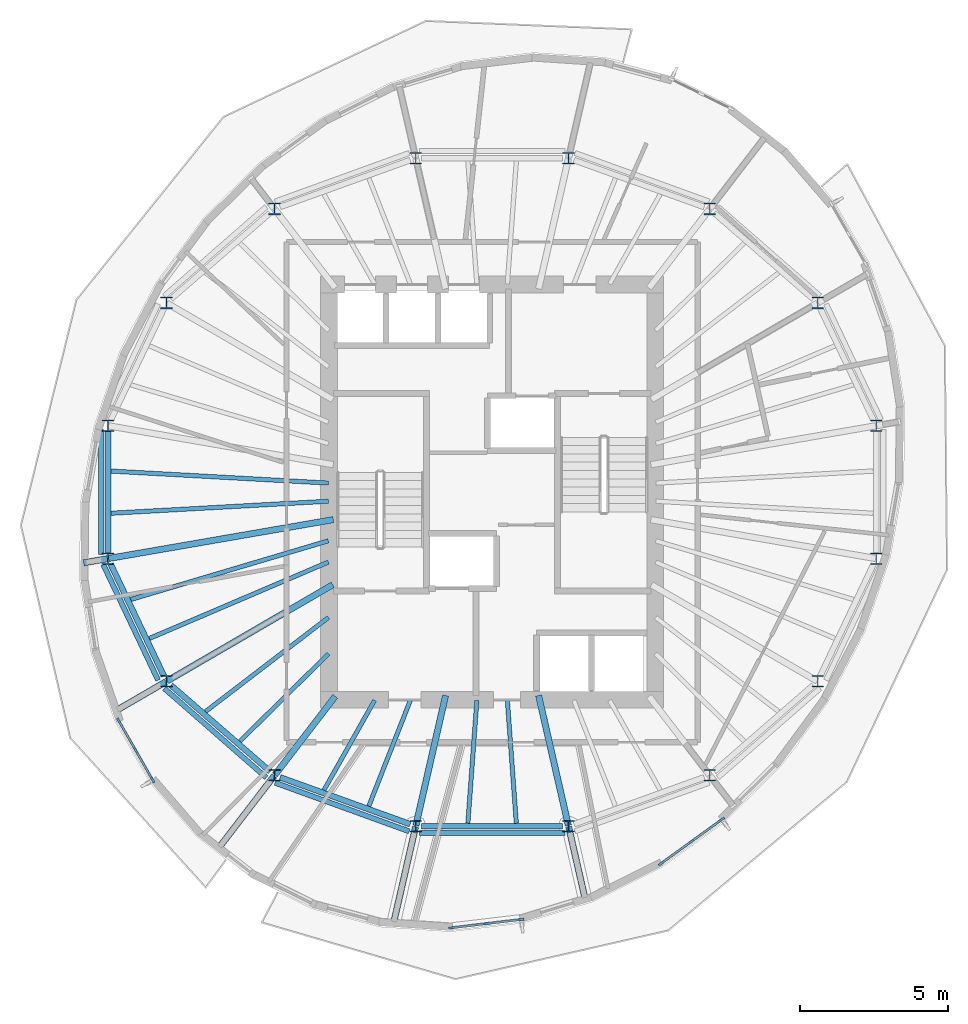
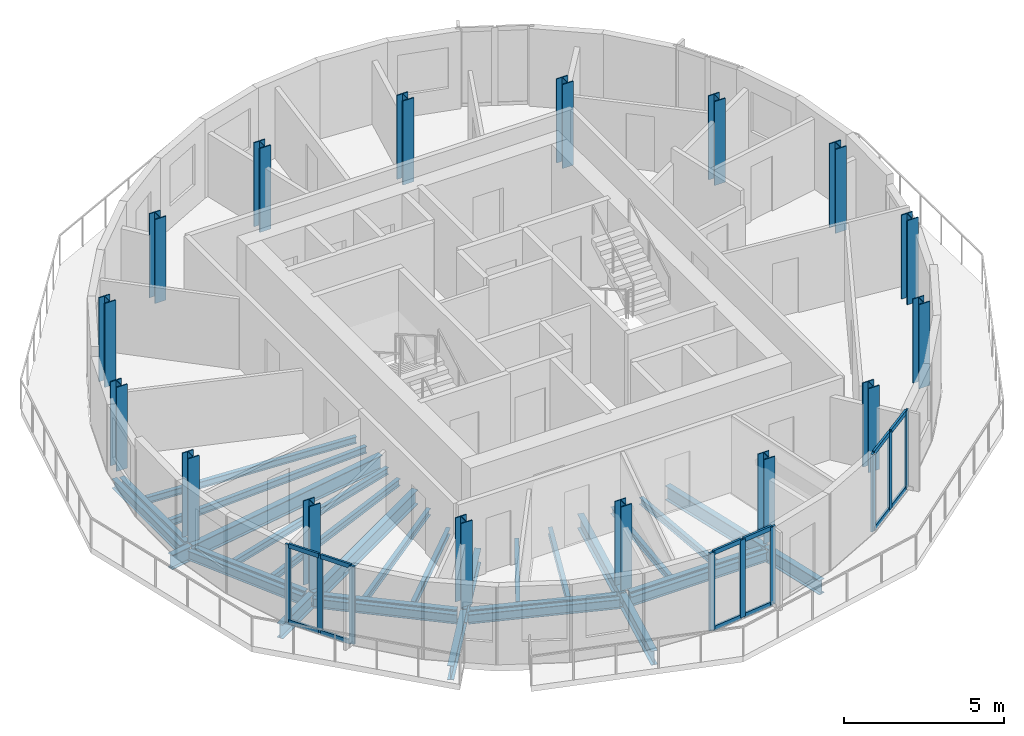
# One storey, part 1 of 9: 30 beams, 21 members, 16 columns, 3 elements without a shape of their own.
"""IFC4 building model written with IfcOpenShell, lengths in metres."""

import ifcopenshell
import ifcopenshell.guid

model = None  # the IFC model being written
_history = None  # IfcOwnerHistory: only IFC2X3 demands one
_inside = {}  # id of a spatial element -> (the spatial element, [elements in it])
_under = {}  # id of a project, library or spatial element -> (it, [spatial elements below it])
_declared = {}  # id of a project -> (the project, [libraries it declares])
_typed = {}  # id of a type object -> (the type object, [elements of that type])
_made_of = {}  # id of a material, layer set ... -> (it, [elements and type objects made of it])


def new_model(schema):
    """Start an empty IFC model of exactly this schema.

    Asked for "IFC4X3", IfcOpenShell would pick the latest addendum, in which some entities
    have other attributes; the version numbers below select the first issue.
    IFC2X3 requires an IfcOwnerHistory on every rooted entity: one is made here for all.
    """
    global model, _history
    if schema == "IFC4X3":
        model = ifcopenshell.file(schema_version=(4, 3, 0, 0))
    else:
        model = ifcopenshell.file(schema=schema)
    _inside.clear()
    _under.clear()
    _declared.clear()
    _typed.clear()
    _made_of.clear()
    _history = None
    if model.schema == "IFC2X3":
        org = make("IfcOrganization", Name="unknown")
        user = make(
            "IfcPersonAndOrganization",
            ThePerson=make("IfcPerson", FamilyName="unknown"),
            TheOrganization=org,
        )
        app = make(
            "IfcApplication",
            ApplicationDeveloper=org,
            Version="unknown",
            ApplicationFullName="unknown",
            ApplicationIdentifier="unknown",
        )
        _history = make(
            "IfcOwnerHistory",
            OwningUser=user,
            OwningApplication=app,
            ChangeAction="ADDED",
            CreationDate=0,
        )
    return model


def make(cls, **values):
    """One entity of the class cls with the attributes given. An attribute that is None is left unset."""
    return model.create_entity(
        cls, **{name: value for name, value in values.items() if value is not None}
    )


def rooted(cls, **values):
    """An entity with a GlobalId (a new one), such as an element, a storey or a relation."""
    return make(cls, GlobalId=ifcopenshell.guid.new(), OwnerHistory=_history, **values)


def si_unit(unit_type, name, prefix=None):
    """IfcSIUnit, for example si_unit("LENGTHUNIT", "METRE", prefix="MILLI")."""
    return make("IfcSIUnit", UnitType=unit_type, Prefix=prefix, Name=name)


def assignment(units):
    """IfcUnitAssignment: the units of a project."""
    return None if units is None else make("IfcUnitAssignment", Units=units)


def point(xyz):
    """IfcCartesianPoint."""
    return None if xyz is None else make("IfcCartesianPoint", Coordinates=xyz)


def direction(xyz):
    """IfcDirection."""
    return None if xyz is None else make("IfcDirection", DirectionRatios=xyz)


def frame(location, z_axis=None, x_axis=None):
    """IfcAxis2Placement3D, a coordinate frame: its origin and axes. An axis left out is left unset."""
    return make(
        "IfcAxis2Placement3D",
        Location=point(location),
        Axis=direction(z_axis),
        RefDirection=direction(x_axis),
    )


def frame_2d(location, x_axis=None):
    """IfcAxis2Placement2D, a coordinate frame in the plane: its origin and x axis."""
    return make(
        "IfcAxis2Placement2D", Location=point(location), RefDirection=direction(x_axis)
    )


def origin():
    """The frame at (0, 0, 0) with its axes left unset."""
    return frame((0.0, 0.0, 0.0))


def origin_2d():
    """The frame at (0, 0) in the plane with its x axis left unset."""
    return frame_2d((0.0, 0.0))


def place(relative_to, where):
    """IfcLocalPlacement: puts the frame where relative to a parent placement (None: the world)."""
    return make(
        "IfcLocalPlacement", PlacementRelTo=relative_to, RelativePlacement=where
    )


def context(
    kind, dimensions, precision=None, world=None, true_north=None, identifier=None
):
    """IfcGeometricRepresentationContext, for example the 3D "Model" context."""
    return make(
        "IfcGeometricRepresentationContext",
        ContextIdentifier=identifier,
        ContextType=kind,
        CoordinateSpaceDimension=dimensions,
        Precision=precision,
        WorldCoordinateSystem=world,
        TrueNorth=true_north,
    )


def subcontext(parent, identifier, kind, view, scale=None):
    """IfcGeometricRepresentationSubContext, for example "Body" below "Model"."""
    return make(
        "IfcGeometricRepresentationSubContext",
        ContextIdentifier=identifier,
        ContextType=kind,
        ParentContext=parent,
        TargetScale=scale,
        TargetView=view,
    )


def project(units=None, contexts=None):
    """IfcProject with its units and contexts."""
    return rooted(
        "IfcProject",
        Name="project",
        RepresentationContexts=contexts,
        UnitsInContext=assignment(units),
    )


def spatial(cls, under=None, at=None, **own):
    """A site, building, storey or space (cls), placed at a placement, below another one or the project."""
    s = rooted(cls, ObjectPlacement=at, **own)
    if under is not None:
        _under.setdefault(under.id(), (under, []))[1].append(s)
    return s


def profile(cls, at=None, kind="AREA", **sizes):
    """A parametric profile (cls). Its sizes go by their IFC names, for example OverallWidth=200.0."""
    return make(cls, ProfileType=kind, Position=at, **sizes)


def rectangle(**sizes):
    """IfcRectangleProfileDef."""
    return profile("IfcRectangleProfileDef", **sizes)


def i_section(**sizes):
    """IfcIShapeProfileDef."""
    return profile("IfcIShapeProfileDef", **sizes)


def extrude(swept, where, along, depth):
    """IfcExtrudedAreaSolid: the profile swept, set in the frame where, extruded along a direction by depth."""
    return make(
        "IfcExtrudedAreaSolid",
        SweptArea=swept,
        Position=where,
        ExtrudedDirection=direction(along),
        Depth=depth,
    )


def shape(context_of_items, identifier, shape_type, items):
    """IfcShapeRepresentation: the items that make up one representation, for example the "Body"."""
    return make(
        "IfcShapeRepresentation",
        ContextOfItems=context_of_items,
        RepresentationIdentifier=identifier,
        RepresentationType=shape_type,
        Items=items,
    )


def material(Name=None, Category=None):
    """IfcMaterial."""
    return make("IfcMaterial", Name=Name, Category=Category)


def material_profile(
    of_material, cross_section, Name=None, Category=None, Priority=None
):
    """IfcMaterialProfile: a cross section and its material."""
    return make(
        "IfcMaterialProfile",
        Name=Name,
        Material=of_material,
        Profile=cross_section,
        Priority=Priority,
        Category=Category,
    )


def profile_set(profiles, Name=None, composite=None):
    """IfcMaterialProfileSet."""
    return make(
        "IfcMaterialProfileSet",
        Name=Name,
        MaterialProfiles=profiles,
        CompositeProfile=composite,
    )


def made_of(thing, what):
    """Note that an element or type object is made of a material, layer set ...; save() writes the relation."""
    if what is not None:
        _made_of.setdefault(what.id(), (what, []))[1].append(thing)
    return thing


def type_object(cls, material=None, **own):
    """A type object (cls), such as IfcWallType, which elements share."""
    return made_of(rooted(cls, **own), material)


def element(
    cls,
    number,
    at=None,
    inside=None,
    cuts=None,
    type_object=None,
    material=None,
    context=None,
    identifier="Body",
    shape_type=None,
    held_by="IfcProductDefinitionShape",
    body=None,
    shapes=None,
    **own,
):
    """One element of the class cls, such as IfcWall. Its Tag is "e" and its number.

    at: its placement. inside: the storey or other place that contains it. cuts: it is an
    opening in that element (IfcRelVoidsElement). A single representation is given by context,
    identifier, shape_type and body (its items); several are given by shapes. held_by: the class
    of the entity that holds the representations. save() writes the other relations.
    """
    e = rooted(cls, Tag="e%d" % number, ObjectPlacement=at, **own)
    if body is not None:
        shapes = [shape(context, identifier, shape_type, body)]
    if shapes is not None:
        e.Representation = make(held_by, Representations=shapes)
    if inside is not None:
        _inside.setdefault(inside.id(), (inside, []))[1].append(e)
    if cuts is not None:
        rooted(
            "IfcRelVoidsElement", RelatingBuildingElement=cuts, RelatedOpeningElement=e
        )
    if type_object is not None:
        _typed.setdefault(type_object.id(), (type_object, []))[1].append(e)
    return made_of(e, material)


def aggregate(whole, parts):
    """IfcRelAggregates: a whole, such as a stair, and the parts it consists of."""
    return rooted("IfcRelAggregates", RelatingObject=whole, RelatedObjects=parts)


def save(model, path):
    """Write the relations noted so far, then the file.

    IfcRelAggregates (storeys below a building ...), IfcRelContainedInSpatialStructure (elements
    in a storey), IfcRelDefinesByType, IfcRelAssociatesMaterial and IfcRelDeclares: one each for
    every whole, place, type object, material and project.
    """
    for whole, parts in _under.values():
        aggregate(whole, parts)
    for where, things in _inside.values():
        rooted(
            "IfcRelContainedInSpatialStructure",
            RelatedElements=things,
            RelatingStructure=where,
        )
    for kind, things in _typed.values():
        rooted("IfcRelDefinesByType", RelatedObjects=things, RelatingType=kind)
    for what, things in _made_of.values():
        rooted("IfcRelAssociatesMaterial", RelatedObjects=things, RelatingMaterial=what)
    for by, libraries in _declared.values():
        rooted("IfcRelDeclares", RelatingContext=by, RelatedDefinitions=libraries)
    model.write(path)


model = new_model("IFC4")

# Units and contexts
model_context = context("Model", 3, precision=1e-05, world=origin(), true_north=direction((0.0, 1.0)))
body_context = subcontext(model_context, "Body", "Model", "MODEL_VIEW")
ifc_project = project(units=[si_unit("LENGTHUNIT", "METRE"), si_unit("AREAUNIT", "SQUARE_METRE"), si_unit("VOLUMEUNIT", "CUBIC_METRE"), si_unit("PLANEANGLEUNIT", "RADIAN"), si_unit("MASSUNIT", "GRAM", prefix="KILO")], contexts=[model_context])

# Site, building, storey
site_placement = place(None, origin())
site = spatial("IfcSite", under=ifc_project, at=site_placement, CompositionType="ELEMENT")
building_placement = place(site_placement, origin())
building = spatial("IfcBuilding", under=site, at=building_placement, Name="Veldorim Arch Residences", CompositionType="ELEMENT")
storey_placement = place(building_placement, frame((0.0, 0.0, 230.239990234375)))
storey = spatial("IfcBuildingStorey", under=building, at=storey_placement, Name="L69", CompositionType="ELEMENT", Elevation=230.239990234375)

# Columns
ifc_material_1 = material(Name="Steel S460", Category="steel")
ifc_material_profile_1 = material_profile(ifc_material_1, i_section(OverallWidth=0.39892578125, OverallDepth=0.3935546875, WebThickness=0.022705078125, FlangeThickness=0.03662109375, at=origin_2d()), Name="UC356x406x287")
ifc_profile_set_1 = profile_set([ifc_material_profile_1], Name="Steel S460")
column_type = type_object("IfcColumnType", Name="Structural Column UC356x406x287", PredefinedType="COLUMN", material=ifc_profile_set_1)
for number, where, z_axis, x_axis, name in (
    (1, (44.9462890625, 26.239501953125, 0.0), (0.0, 0.0, 1.0), (1.0, 0.0, 0.0), "L69 TC-Z4-01 perimeter column"),
    (2, (42.975341796875, 30.3779296875, 0.0), (0.0, 0.0, 1.0), (1.0, 0.0, 0.0), "L69 TC-Z4-02 perimeter column"),
    (3, (39.33349609375, 33.54541015625, 0.0), (0.0, 0.0, 1.0), (1.0, 0.0, 0.0), "L69 TC-Z4-03 perimeter column"),
    (4, (34.5751953125, 35.259521484375, 0.0), (0.0, 0.0, 1.0), (1.0, 0.0, 0.0), "L69 TC-Z4-04 perimeter column"),
    (5, (29.4248046875, 35.259521484375, 0.0), (0.0, 0.0, 1.0), (1.0, 0.0, 0.0), "L69 TC-Z4-05 perimeter column"),
    (6, (24.66650390625, 33.54541015625, 0.0), (0.0, 0.0, 1.0), (1.0, 0.0, 0.0), "L69 TC-Z4-06 perimeter column"),
    (7, (21.024658203125, 30.3779296875, 0.0), (0.0, 0.0, 1.0), (1.0, 0.0, 0.0), "L69 TC-Z4-07 perimeter column"),
    (8, (19.0537109375, 26.239501953125, 0.0), (0.0, 0.0, 1.0), (1.0, 0.0, 0.0), "L69 TC-Z4-08 perimeter column"),
    (9, (19.0537109375, 21.760498046875, 0.0), (0.0, 0.0, 1.0), (1.0, 0.0, 0.0), "L69 TC-Z4-09 perimeter column"),
    (10, (21.024658203125, 17.6220703125, 0.0), (0.0, 0.0, 1.0), (1.0, 0.0, 0.0), "L69 TC-Z4-10 perimeter column"),
    (11, (24.66650390625, 14.45458984375, 0.0), (0.0, 0.0, 1.0), (1.0, 0.0, 0.0), "L69 TC-Z4-11 perimeter column"),
    (12, (29.4248046875, 12.740478515625, 0.0), (0.0, 0.0, 1.0), (1.0, 0.0, 0.0), "L69 TC-Z4-12 perimeter column"),
    (13, (34.5751953125, 12.740478515625, 0.0), (0.0, 0.0, 1.0), (1.0, 0.0, 0.0), "L69 TC-Z4-13 perimeter column"),
    (14, (39.33349609375, 14.45458984375, 0.0), (0.0, 0.0, 1.0), (1.0, 0.0, 0.0), "L69 TC-Z4-14 perimeter column"),
    (15, (42.975341796875, 17.6220703125, 0.0), (0.0, 0.0, 1.0), (1.0, 0.0, 0.0), "L69 TC-Z4-15 perimeter column"),
    (16, (44.9462890625, 21.760498046875, 0.0), (0.0, 0.0, 1.0), (1.0, 0.0, 0.0), "L69 TC-Z4-16 perimeter column"),
):
    element("IfcColumn", number, at=place(storey_placement, frame(where, z_axis=z_axis, x_axis=x_axis)), inside=storey, type_object=column_type, Name=name, PredefinedType="COLUMN", context=body_context, shape_type="SweptSolid", body=[
        extrude(i_section(OverallWidth=0.39892578125, OverallDepth=0.3935546875, WebThickness=0.022705078125, FlangeThickness=0.03662109375, at=origin_2d()), origin(), (0.0, 0.0, 1.0), 3.199951171875),
    ])

# Beams
ifc_material_2 = material(Name="Steel S355", Category="steel")
ifc_material_profile_2 = material_profile(ifc_material_2, i_section(OverallWidth=0.2119140625, OverallDepth=0.54443359375, WebThickness=0.0126953125, FlangeThickness=0.021240234375, at=origin_2d()), Name="UB533x210x122")
ifc_profile_set_2 = profile_set([ifc_material_profile_2], Name="Steel S355")
beam_type_1 = type_object("IfcBeamType", Name="Structural Steel Beam UB533x210x122", PredefinedType="BEAM", material=ifc_profile_set_2)
beam_1_placement = place(storey_placement, frame((26.647705078125, 23.07421875, -0.51220703125), z_axis=(-0.985364974081, -0.170457818401, 0.0), x_axis=(0.170457818401, -0.985364974081, 0.0)))
element("IfcBeam", 17, at=beam_1_placement, inside=storey, type_object=beam_type_1, Name="L69 radial floor girder 09", PredefinedType="BEAM", context=body_context, shape_type="SweptSolid", body=[
    extrude(i_section(OverallWidth=0.2119140625, OverallDepth=0.54443359375, WebThickness=0.0126953125, FlangeThickness=0.021240234375, at=origin_2d()), origin(), (0.0, 0.0, 1.0), 7.68701171875),
])
beam_2_placement = place(storey_placement, frame((19.033935546875, 21.757080078125, -0.51220703125), z_axis=(-0.985345661769, -0.170569419394, 0.0), x_axis=(0.170569419394, -0.985345661769, 0.0)))
element("IfcBeam", 18, at=beam_2_placement, inside=storey, type_object=beam_type_1, Name="L69 radial edge cantilever girder 09", PredefinedType="BEAM", context=body_context, shape_type="SweptSolid", body=[
    extrude(i_section(OverallWidth=0.2119140625, OverallDepth=0.54443359375, WebThickness=0.0126953125, FlangeThickness=0.021240234375, at=origin_2d()), origin(), (0.0, 0.0, 1.0), 0.814453125),
])
beam_3_placement = place(storey_placement, frame((26.629638671875, 20.87939453125, -0.51220703125), z_axis=(-0.864595736304, -0.502468121142, 0.0), x_axis=(0.502468121142, -0.864595736304, 0.0)))
element("IfcBeam", 19, at=beam_3_placement, inside=storey, type_object=beam_type_1, Name="L69 radial floor girder 10", PredefinedType="BEAM", context=body_context, shape_type="SweptSolid", body=[
    extrude(i_section(OverallWidth=0.2119140625, OverallDepth=0.54443359375, WebThickness=0.0126953125, FlangeThickness=0.021240234375, at=origin_2d()), origin(), (0.0, 0.0, 1.0), 6.462646484375),
])
beam_4_placement = place(storey_placement, frame((21.00732421875, 17.612060546875, -0.51220703125), z_axis=(-0.864644868068, -0.502383570714, 0.0), x_axis=(0.502383570714, -0.864644868068, 0.0)))
element("IfcBeam", 20, at=beam_4_placement, inside=storey, type_object=beam_type_1, Name="L69 radial edge cantilever girder 10", PredefinedType="BEAM", context=body_context, shape_type="SweptSolid", body=[
    extrude(i_section(OverallWidth=0.2119140625, OverallDepth=0.54443359375, WebThickness=0.0126953125, FlangeThickness=0.021240234375, at=origin_2d()), origin(), (0.0, 0.0, 1.0), 1.970703125),
])
beam_5_placement = place(storey_placement, frame((26.71337890625, 17.118896484375, -0.51220703125), z_axis=(-0.609258442308, -0.792971721108, 0.0), x_axis=(0.792971721108, -0.609258442308, 0.0)))
element("IfcBeam", 21, at=beam_5_placement, inside=storey, type_object=beam_type_1, Name="L69 radial floor girder 11", PredefinedType="BEAM", context=body_context, shape_type="SweptSolid", body=[
    extrude(i_section(OverallWidth=0.2119140625, OverallDepth=0.54443359375, WebThickness=0.0126953125, FlangeThickness=0.021240234375, at=origin_2d()), origin(), (0.0, 0.0, 1.0), 3.339599609375),
])
beam_6_placement = place(storey_placement, frame((24.654296875, 14.438720703125, -0.51220703125), z_axis=(-0.609263326719, -0.792967968278, 0.0), x_axis=(0.792967968278, -0.609263326719, 0.0)))
element("IfcBeam", 22, at=beam_6_placement, inside=storey, type_object=beam_type_1, Name="L69 radial edge cantilever girder 11", PredefinedType="BEAM", context=body_context, shape_type="SweptSolid", body=[
    extrude(i_section(OverallWidth=0.2119140625, OverallDepth=0.54443359375, WebThickness=0.0126953125, FlangeThickness=0.021240234375, at=origin_2d()), origin(), (0.0, 0.0, 1.0), 3.0859375),
])
beam_7_placement = place(storey_placement, frame((30.432373046875, 17.146240234375, -0.51220703125), z_axis=(-0.222952976993, -0.97482920045, 0.0), x_axis=(0.97482920045, -0.222952976993, 0.0)))
element("IfcBeam", 23, at=beam_7_placement, inside=storey, type_object=beam_type_1, Name="L69 radial floor girder 12", PredefinedType="BEAM", context=body_context, shape_type="SweptSolid", body=[
    extrude(i_section(OverallWidth=0.2119140625, OverallDepth=0.54443359375, WebThickness=0.0126953125, FlangeThickness=0.021240234375, at=origin_2d()), origin(), (0.0, 0.0, 1.0), 4.49951171875),
])
beam_8_placement = place(storey_placement, frame((29.42041015625, 12.72119140625, -0.51220703125), z_axis=(-0.222994562623, -0.974819688476, 0.0), x_axis=(0.974819688476, -0.222994562623, 0.0)))
element("IfcBeam", 24, at=beam_8_placement, inside=storey, type_object=beam_type_1, Name="L69 radial edge cantilever girder 12", PredefinedType="BEAM", context=body_context, shape_type="SweptSolid", body=[
    extrude(i_section(OverallWidth=0.2119140625, OverallDepth=0.54443359375, WebThickness=0.0126953125, FlangeThickness=0.021240234375, at=origin_2d()), origin(), (0.0, 0.0, 1.0), 3.280029296875),
])
beam_9_placement = place(storey_placement, frame((33.567626953125, 17.146240234375, -0.51220703125), z_axis=(0.222952976993, -0.97482920045, 0.0), x_axis=(0.97482920045, 0.222952976993, 0.0)))
element("IfcBeam", 25, at=beam_9_placement, inside=storey, type_object=beam_type_1, Name="L69 radial floor girder 13", PredefinedType="BEAM", context=body_context, shape_type="SweptSolid", body=[
    extrude(i_section(OverallWidth=0.2119140625, OverallDepth=0.54443359375, WebThickness=0.0126953125, FlangeThickness=0.021240234375, at=origin_2d()), origin(), (0.0, 0.0, 1.0), 4.49951171875),
])
beam_10_placement = place(storey_placement, frame((34.57958984375, 12.72119140625, -0.51220703125), z_axis=(0.222961198563, -0.97482732006, 0.0), x_axis=(0.97482732006, 0.222961198563, 0.0)))
element("IfcBeam", 26, at=beam_10_placement, inside=storey, type_object=beam_type_1, Name="L69 radial edge cantilever girder 13", PredefinedType="BEAM", context=body_context, shape_type="SweptSolid", body=[
    extrude(i_section(OverallWidth=0.2119140625, OverallDepth=0.54443359375, WebThickness=0.0126953125, FlangeThickness=0.021240234375, at=origin_2d()), origin(), (0.0, 0.0, 1.0), 2.52734375),
])
ifc_material_3 = material(Name="Steel S355", Category="steel")
ifc_material_profile_3 = material_profile(ifc_material_3, i_section(OverallWidth=0.146484375, OverallDepth=0.256103515625, WebThickness=0.00634765625, FlangeThickness=0.010986328125, at=origin_2d()), Name="UB254x146x37")
ifc_profile_set_3 = profile_set([ifc_material_profile_3], Name="Steel S355")
beam_type_2 = type_object("IfcBeamType", Name="Structural Steel Joist UB254x146x37", PredefinedType="JOIST", material=ifc_profile_set_3)
for number, where, z_axis, x_axis, name in (
    (27, (26.47998046875, 24.3056640625, -0.367919921875), (-0.998472000884, 0.055259962464, 0.0), (-0.055259962464, -0.998472000884, 0.0), "L69 secondary radial floor joist 08-1"),
    (28, (26.47998046875, 23.6943359375, -0.367919921875), (-0.998472000884, -0.055259962464, 0.0), (0.055259962464, -0.998472000884, 0.0), "L69 secondary radial floor joist 08-2"),
):
    element("IfcBeam", number, at=place(storey_placement, frame(where, z_axis=z_axis, x_axis=x_axis)), inside=storey, type_object=beam_type_2, Name=name, PredefinedType="JOIST", context=body_context, shape_type="SweptSolid", body=[
        extrude(i_section(OverallWidth=0.146484375, OverallDepth=0.256103515625, WebThickness=0.00634765625, FlangeThickness=0.010986328125, at=origin_2d()), origin(), (0.0, 0.0, 1.0), 7.33837890625),
    ])
beam_11_placement = place(storey_placement, frame((26.480712890625, 22.360595703125, -0.367919921875), z_axis=(-0.958594432792, -0.284774846889, 0.0), x_axis=(0.284774846889, -0.958594432792, 0.0)))
element("IfcBeam", 29, at=beam_11_placement, inside=storey, type_object=beam_type_2, Name="L69 secondary radial floor joist 09-1", PredefinedType="JOIST", context=body_context, shape_type="SweptSolid", body=[
    extrude(i_section(OverallWidth=0.146484375, OverallDepth=0.256103515625, WebThickness=0.00634765625, FlangeThickness=0.010986328125, at=origin_2d()), origin(), (0.0, 0.0, 1.0), 6.949462890625),
])
beam_12_placement = place(storey_placement, frame((26.481689453125, 21.644287109375, -0.367919921875), z_axis=(-0.919725161652, -0.392562895629, 0.0), x_axis=(0.392562895629, -0.919725161652, 0.0)))
element("IfcBeam", 30, at=beam_12_placement, inside=storey, type_object=beam_type_2, Name="L69 secondary radial floor joist 09-2", PredefinedType="JOIST", context=body_context, shape_type="SweptSolid", body=[
    extrude(i_section(OverallWidth=0.146484375, OverallDepth=0.256103515625, WebThickness=0.00634765625, FlangeThickness=0.010986328125, at=origin_2d()), origin(), (0.0, 0.0, 1.0), 6.5625),
])
beam_13_placement = place(storey_placement, frame((26.484130859375, 19.777099609375, -0.367919921875), z_axis=(-0.794013672216, -0.607899899929, 0.0), x_axis=(0.607899899929, -0.794013672216, 0.0)))
element("IfcBeam", 31, at=beam_13_placement, inside=storey, type_object=beam_type_2, Name="L69 secondary radial floor joist 10-1", PredefinedType="JOIST", context=body_context, shape_type="SweptSolid", body=[
    extrude(i_section(OverallWidth=0.146484375, OverallDepth=0.256103515625, WebThickness=0.00634765625, FlangeThickness=0.010986328125, at=origin_2d()), origin(), (0.0, 0.0, 1.0), 5.217041015625),
])
beam_14_placement = place(storey_placement, frame((26.48583984375, 18.55224609375, -0.367919921875), z_axis=(-0.711396725432, -0.702790650937, 0.0), x_axis=(0.702790650937, -0.711396725432, 0.0)))
element("IfcBeam", 32, at=beam_14_placement, inside=storey, type_object=beam_type_2, Name="L69 secondary radial floor joist 10-2", PredefinedType="JOIST", context=body_context, shape_type="SweptSolid", body=[
    extrude(i_section(OverallWidth=0.146484375, OverallDepth=0.256103515625, WebThickness=0.00634765625, FlangeThickness=0.010986328125, at=origin_2d()), origin(), (0.0, 0.0, 1.0), 4.198486328125),
])
beam_15_placement = place(storey_placement, frame((28.039794921875, 16.982666015625, -0.367919921875), z_axis=(-0.491452469585, -0.870904397818, 0.0), x_axis=(0.870904397818, -0.491452469585, 0.0)))
element("IfcBeam", 33, at=beam_15_placement, inside=storey, type_object=beam_type_2, Name="L69 secondary radial floor joist 11-1", PredefinedType="JOIST", context=body_context, shape_type="SweptSolid", body=[
    extrude(i_section(OverallWidth=0.146484375, OverallDepth=0.256103515625, WebThickness=0.00634765625, FlangeThickness=0.010986328125, at=origin_2d()), origin(), (0.0, 0.0, 1.0), 3.472412109375),
])
beam_16_placement = place(storey_placement, frame((29.24365234375, 16.9814453125, -0.367919921875), z_axis=(-0.365581383042, -0.930779379001, 0.0), x_axis=(0.930779379001, -0.365581383042, 0.0)))
element("IfcBeam", 34, at=beam_16_placement, inside=storey, type_object=beam_type_2, Name="L69 secondary radial floor joist 11-2", PredefinedType="JOIST", context=body_context, shape_type="SweptSolid", body=[
    extrude(i_section(OverallWidth=0.146484375, OverallDepth=0.256103515625, WebThickness=0.00634765625, FlangeThickness=0.010986328125, at=origin_2d()), origin(), (0.0, 0.0, 1.0), 3.83056640625),
])
for number, where, z_axis, x_axis, name in (
    (35, (31.486083984375, 16.97998046875, -0.367919921875), (-0.072985625899, -0.997332992742, 0.0), (0.997332992742, -0.072985625899, 0.0), "L69 secondary radial floor joist 12-1"),
    (36, (32.513916015625, 16.97998046875, -0.367919921875), (0.072985625899, -0.997332992742, 0.0), (0.997332992742, 0.072985625899, 0.0), "L69 secondary radial floor joist 12-2"),
):
    element("IfcBeam", number, at=place(storey_placement, frame(where, z_axis=z_axis, x_axis=x_axis)), inside=storey, type_object=beam_type_2, Name=name, PredefinedType="JOIST", context=body_context, shape_type="SweptSolid", body=[
        extrude(i_section(OverallWidth=0.146484375, OverallDepth=0.256103515625, WebThickness=0.00634765625, FlangeThickness=0.010986328125, at=origin_2d()), origin(), (0.0, 0.0, 1.0), 4.151123046875),
    ])
ifc_material_4 = material(Name="Steel S355", Category="steel")
ifc_material_profile_4 = material_profile(ifc_material_4, i_section(OverallWidth=0.172119140625, OverallDepth=0.35791015625, WebThickness=0.008056640625, FlangeThickness=0.012939453125, at=origin_2d()), Name="UB356x171x57")
ifc_profile_set_4 = profile_set([ifc_material_profile_4], Name="Steel S355")
beam_type_3 = type_object("IfcBeamType", Name="Structural Steel Spandrel UB356x171x57", PredefinedType="SPANDREL", material=ifc_profile_set_4)
beam_17_placement = place(storey_placement, frame((18.817138671875, 26.10498046875, -0.43896484375), z_axis=(0.0, -1.0, 0.0), x_axis=(1.0, 0.0, 0.0)))
element("IfcBeam", 37, at=beam_17_placement, inside=storey, type_object=beam_type_3, Name="L69 perimeter chord spandrel beam 08", PredefinedType="SPANDREL", context=body_context, shape_type="SweptSolid", body=[
    extrude(i_section(OverallWidth=0.172119140625, OverallDepth=0.35791015625, WebThickness=0.008056640625, FlangeThickness=0.012939453125, at=origin_2d()), origin(), (0.0, 0.0, 1.0), 4.2099609375),
])
beam_18_placement = place(storey_placement, frame((18.892333984375, 21.560791015625, -0.43896484375), z_axis=(0.428453398876, -0.903563879862, 0.0), x_axis=(0.903563879862, 0.428453398876, 0.0)))
element("IfcBeam", 38, at=beam_18_placement, inside=storey, type_object=beam_type_3, Name="L69 perimeter chord spandrel beam 09", PredefinedType="SPANDREL", context=body_context, shape_type="SweptSolid", body=[
    extrude(i_section(OverallWidth=0.172119140625, OverallDepth=0.35791015625, WebThickness=0.008056640625, FlangeThickness=0.012939453125, at=origin_2d()), origin(), (0.0, 0.0, 1.0), 4.31689453125),
])
beam_19_placement = place(storey_placement, frame((20.94921875, 17.385986328125, -0.43896484375), z_axis=(0.752901089301, -0.658133686821, 0.0), x_axis=(0.658133686821, 0.752901089301, 0.0)))
element("IfcBeam", 39, at=beam_19_placement, inside=storey, type_object=beam_type_3, Name="L69 perimeter chord spandrel beam 10", PredefinedType="SPANDREL", context=body_context, shape_type="SweptSolid", body=[
    extrude(i_section(OverallWidth=0.172119140625, OverallDepth=0.35791015625, WebThickness=0.008056640625, FlangeThickness=0.012939453125, at=origin_2d()), origin(), (0.0, 0.0, 1.0), 4.567626953125),
])
beam_20_placement = place(storey_placement, frame((24.685302734375, 14.20458984375, -0.43896484375), z_axis=(0.940181197783, -0.340674794099, 0.0), x_axis=(0.340674794099, 0.940181197783, 0.0)))
element("IfcBeam", 40, at=beam_20_placement, inside=storey, type_object=beam_type_3, Name="L69 perimeter chord spandrel beam 11", PredefinedType="SPANDREL", context=body_context, shape_type="SweptSolid", body=[
    extrude(i_section(OverallWidth=0.172119140625, OverallDepth=0.35791015625, WebThickness=0.008056640625, FlangeThickness=0.012939453125, at=origin_2d()), origin(), (0.0, 0.0, 1.0), 4.80859375),
])
beam_21_placement = place(storey_placement, frame((29.546875, 12.506591796875, -0.43896484375), z_axis=(1.0, 0.0, 0.0), x_axis=(0.0, 1.0, 0.0)))
element("IfcBeam", 41, at=beam_21_placement, inside=storey, type_object=beam_type_3, Name="L69 perimeter chord spandrel beam 12", PredefinedType="SPANDREL", context=body_context, shape_type="SweptSolid", body=[
    extrude(i_section(OverallWidth=0.172119140625, OverallDepth=0.35791015625, WebThickness=0.008056640625, FlangeThickness=0.012939453125, at=origin_2d()), origin(), (0.0, 0.0, 1.0), 4.90625),
])
ifc_material_5 = material(Name="Steel S355", Category="steel")
ifc_material_profile_5 = material_profile(ifc_material_5, i_section(OverallWidth=0.19140625, OverallDepth=0.4599609375, WebThickness=0.010009765625, FlangeThickness=0.01611328125, at=origin_2d()), Name="UB457x191x82")
ifc_profile_set_5 = profile_set([ifc_material_profile_5], Name="Steel S355")
beam_type_4 = type_object("IfcBeamType", Name="Structural Steel Spandrel UB457x191x82", PredefinedType="SPANDREL", material=ifc_profile_set_5)
beam_22_placement = place(storey_placement, frame((19.0537109375, 26.0400390625, -0.469970703125), z_axis=(0.0, -1.0, 0.0), x_axis=(1.0, 0.0, 0.0)))
element("IfcBeam", 42, at=beam_22_placement, inside=storey, type_object=beam_type_4, Name="L69 perimeter ring tie beam 08", PredefinedType="SPANDREL", context=body_context, shape_type="SweptSolid", body=[
    extrude(i_section(OverallWidth=0.19140625, OverallDepth=0.4599609375, WebThickness=0.010009765625, FlangeThickness=0.01611328125, at=origin_2d()), origin(), (0.0, 0.0, 1.0), 4.080078125),
])
beam_23_placement = place(storey_placement, frame((19.139404296875, 21.580322265625, -0.469970703125), z_axis=(0.42997887291, -0.902838949564, 0.0), x_axis=(0.902838949564, 0.42997887291, 0.0)))
element("IfcBeam", 43, at=beam_23_placement, inside=storey, type_object=beam_type_4, Name="L69 perimeter ring tie beam 09", PredefinedType="SPANDREL", context=body_context, shape_type="SweptSolid", body=[
    extrude(i_section(OverallWidth=0.19140625, OverallDepth=0.4599609375, WebThickness=0.010009765625, FlangeThickness=0.01611328125, at=origin_2d()), origin(), (0.0, 0.0, 1.0), 4.1845703125),
])
beam_24_placement = place(storey_placement, frame((21.175048828125, 17.4912109375, -0.469970703125), z_axis=(0.754578219063, -0.656210112171, 0.0), x_axis=(0.656210112171, 0.754578219063, 0.0)))
element("IfcBeam", 44, at=beam_24_placement, inside=storey, type_object=beam_type_4, Name="L69 perimeter ring tie beam 10", PredefinedType="SPANDREL", context=body_context, shape_type="SweptSolid", body=[
    extrude(i_section(OverallWidth=0.19140625, OverallDepth=0.4599609375, WebThickness=0.010009765625, FlangeThickness=0.01611328125, at=origin_2d()), origin(), (0.0, 0.0, 1.0), 4.427734375),
])
beam_25_placement = place(storey_placement, frame((24.854248046875, 14.38720703125, -0.469970703125), z_axis=(0.940799194754, -0.338964415757, 0.0), x_axis=(0.338964415757, 0.940799194754, 0.0)))
element("IfcBeam", 45, at=beam_25_placement, inside=storey, type_object=beam_type_4, Name="L69 perimeter ring tie beam 11", PredefinedType="SPANDREL", context=body_context, shape_type="SweptSolid", body=[
    extrude(i_section(OverallWidth=0.19140625, OverallDepth=0.4599609375, WebThickness=0.010009765625, FlangeThickness=0.01611328125, at=origin_2d()), origin(), (0.0, 0.0, 1.0), 4.65869140625),
])
beam_26_placement = place(storey_placement, frame((29.624267578125, 12.740478515625, -0.469970703125), z_axis=(1.0, 0.0, 0.0), x_axis=(0.0, 1.0, 0.0)))
element("IfcBeam", 46, at=beam_26_placement, inside=storey, type_object=beam_type_4, Name="L69 perimeter ring tie beam 12", PredefinedType="SPANDREL", context=body_context, shape_type="SweptSolid", body=[
    extrude(i_section(OverallWidth=0.19140625, OverallDepth=0.4599609375, WebThickness=0.010009765625, FlangeThickness=0.01611328125, at=origin_2d()), origin(), (0.0, 0.0, 1.0), 4.75146484375),
])

# Curtain wall, members
ifc_material_6 = material(Name="Aluminium", Category="aluminium")
curtain_wall_type = type_object("IfcCurtainWallType", Name="Zone 4 High-Altitude Unitised Curtain Wall", PredefinedType="NOTDEFINED", material=ifc_material_6)
curtain_wall_1_placement = place(storey_placement, origin())
curtain_wall_1 = element("IfcCurtainWall", 47, at=curtain_wall_1_placement, inside=storey, type_object=curtain_wall_type, Name="L69 unitised curtain wall bay 16", PredefinedType="NOTDEFINED")
ifc_material_7 = material(Name="Aluminium", Category="aluminium")
ifc_material_profile_6 = material_profile(ifc_material_7, rectangle(XDim=0.074951171875, YDim=0.195068359375, at=origin_2d()), Name="ALU_MUL_75x195")
ifc_profile_set_6 = profile_set([ifc_material_profile_6], Name="Aluminium")
member_type_1 = type_object("IfcMemberType", Name="Zone 4 High-Altitude Unitised Curtain Wall Mullion 75x195", PredefinedType="MULLION", material=ifc_profile_set_6)
member_1_placement = place(storey_placement, frame((20.560302734375, 14.290771484375, 0.0), z_axis=(0.0, 0.0, 1.0), x_axis=(-0.868165815249, -0.496274235915, 0.0)))
member_1 = element("IfcMember", 48, at=member_1_placement, type_object=member_type_1, Name="CW-Z4 mullion 1", PredefinedType="MULLION", context=body_context, shape_type="SweptSolid", body=[
    extrude(rectangle(XDim=0.074951171875, YDim=0.195068359375, at=origin_2d()), origin(), (0.0, 0.0, 1.0), 2.9599609375),
])
member_2_placement = place(storey_placement, frame((19.986572265625, 15.294921875, 0.0), z_axis=(0.0, 0.0, 1.0), x_axis=(-0.868165815249, -0.496274235915, 0.0)))
member_2 = element("IfcMember", 49, at=member_2_placement, type_object=member_type_1, Name="CW-Z4 mullion 2", PredefinedType="MULLION", context=body_context, shape_type="SweptSolid", body=[
    extrude(rectangle(XDim=0.074951171875, YDim=0.195068359375, at=origin_2d()), origin(), (0.0, 0.0, 1.0), 2.9599609375),
])
member_3_placement = place(storey_placement, frame((19.41259765625, 16.298828125, 0.0), z_axis=(0.0, 0.0, 1.0), x_axis=(-0.868165815249, -0.496274235915, 0.0)))
member_3 = element("IfcMember", 50, at=member_3_placement, type_object=member_type_1, Name="CW-Z4 mullion 3", PredefinedType="MULLION", context=body_context, shape_type="SweptSolid", body=[
    extrude(rectangle(XDim=0.074951171875, YDim=0.195068359375, at=origin_2d()), origin(), (0.0, 0.0, 1.0), 2.9599609375),
])

curtain_wall_2_placement = place(storey_placement, origin())
curtain_wall_2 = element("IfcCurtainWall", 51, at=curtain_wall_2_placement, inside=storey, type_object=curtain_wall_type, Name="L69 unitised curtain wall bay 22", PredefinedType="NOTDEFINED")
member_4_placement = place(storey_placement, frame((32.98388671875, 9.594482421875, 0.0), z_axis=(0.0, 0.0, 1.0), x_axis=(0.11850898727, -0.992952979721, 0.0)))
member_4 = element("IfcMember", 52, at=member_4_placement, type_object=member_type_1, Name="CW-Z4 mullion 1", PredefinedType="MULLION", context=body_context, shape_type="SweptSolid", body=[
    extrude(rectangle(XDim=0.074951171875, YDim=0.195068359375, at=origin_2d()), origin(), (0.0, 0.0, 1.0), 2.9599609375),
])
member_5_placement = place(storey_placement, frame((31.80859375, 9.454345703125, 0.0), z_axis=(0.0, 0.0, 1.0), x_axis=(0.11850898727, -0.992952979721, 0.0)))
member_5 = element("IfcMember", 53, at=member_5_placement, type_object=member_type_1, Name="CW-Z4 mullion 2", PredefinedType="MULLION", context=body_context, shape_type="SweptSolid", body=[
    extrude(rectangle(XDim=0.074951171875, YDim=0.195068359375, at=origin_2d()), origin(), (0.0, 0.0, 1.0), 2.9599609375),
])
member_6_placement = place(storey_placement, frame((30.633544921875, 9.31396484375, 0.0), z_axis=(0.0, 0.0, 1.0), x_axis=(0.11850898727, -0.992952979721, 0.0)))
member_6 = element("IfcMember", 54, at=member_6_placement, type_object=member_type_1, Name="CW-Z4 mullion 3", PredefinedType="MULLION", context=body_context, shape_type="SweptSolid", body=[
    extrude(rectangle(XDim=0.074951171875, YDim=0.195068359375, at=origin_2d()), origin(), (0.0, 0.0, 1.0), 2.9599609375),
])

curtain_wall_3_placement = place(storey_placement, origin())
curtain_wall_3 = element("IfcCurtainWall", 55, at=curtain_wall_3_placement, inside=storey, type_object=curtain_wall_type, Name="L69 unitised curtain wall bay 25", PredefinedType="NOTDEFINED")
member_7_placement = place(storey_placement, frame((39.747314453125, 12.968994140625, 0.0), z_axis=(0.0, 0.0, 1.0), x_axis=(0.586225674606, -0.810147800363, 0.0)))
member_7 = element("IfcMember", 56, at=member_7_placement, type_object=member_type_1, Name="CW-Z4 mullion 1", PredefinedType="MULLION", context=body_context, shape_type="SweptSolid", body=[
    extrude(rectangle(XDim=0.074951171875, YDim=0.195068359375, at=origin_2d()), origin(), (0.0, 0.0, 1.0), 2.9599609375),
])
member_8_placement = place(storey_placement, frame((38.7197265625, 12.2255859375, 0.0), z_axis=(0.0, 0.0, 1.0), x_axis=(0.586225674606, -0.810147800363, 0.0)))
member_8 = element("IfcMember", 57, at=member_8_placement, type_object=member_type_1, Name="CW-Z4 mullion 2", PredefinedType="MULLION", context=body_context, shape_type="SweptSolid", body=[
    extrude(rectangle(XDim=0.074951171875, YDim=0.195068359375, at=origin_2d()), origin(), (0.0, 0.0, 1.0), 2.9599609375),
])
member_9_placement = place(storey_placement, frame((37.692138671875, 11.48193359375, 0.0), z_axis=(0.0, 0.0, 1.0), x_axis=(0.586225674606, -0.810147800363, 0.0)))
member_9 = element("IfcMember", 58, at=member_9_placement, type_object=member_type_1, Name="CW-Z4 mullion 3", PredefinedType="MULLION", context=body_context, shape_type="SweptSolid", body=[
    extrude(rectangle(XDim=0.074951171875, YDim=0.195068359375, at=origin_2d()), origin(), (0.0, 0.0, 1.0), 2.9599609375),
])

# Member
ifc_material_8 = material(Name="Aluminium", Category="aluminium")
ifc_material_profile_7 = material_profile(ifc_material_8, rectangle(XDim=0.074951171875, YDim=0.1650390625, at=origin_2d()), Name="ALU_TRN_75x165")
ifc_profile_set_7 = profile_set([ifc_material_profile_7], Name="Aluminium")
member_type_2 = type_object("IfcMemberType", Name="Zone 4 High-Altitude Unitised Curtain Wall Transom 75x165", PredefinedType="USERDEFINED", material=ifc_profile_set_7)
member_10_placement = place(storey_placement, frame((20.541748046875, 14.323486328125, 0.03759765625), z_axis=(-0.496284825961, 0.868159761519, 0.0), x_axis=(-0.868159761519, -0.496284825961, 0.0)))
member_10 = element("IfcMember", 59, at=member_10_placement, type_object=member_type_2, Name="CW-Z4 transom 1.1", ObjectType="TRANSOM", PredefinedType="USERDEFINED", context=body_context, shape_type="SweptSolid", body=[
    extrude(rectangle(XDim=0.074951171875, YDim=0.1650390625, at=origin_2d()), origin(), (0.0, 0.0, 1.0), 1.081298828125),
])

member_11_placement = place(storey_placement, frame((20.541748046875, 14.323486328125, 2.922607421875), z_axis=(-0.496284825961, 0.868159761519, 0.0), x_axis=(-0.868159761519, -0.496284825961, 0.0)))
member_11 = element("IfcMember", 60, at=member_11_placement, type_object=member_type_2, Name="CW-Z4 transom 1.2", ObjectType="TRANSOM", PredefinedType="USERDEFINED", context=body_context, shape_type="SweptSolid", body=[
    extrude(rectangle(XDim=0.074951171875, YDim=0.1650390625, at=origin_2d()), origin(), (0.0, 0.0, 1.0), 1.081298828125),
])

member_12_placement = place(storey_placement, frame((19.9677734375, 15.327392578125, 0.03759765625), z_axis=(-0.496284825961, 0.868159761519, 0.0), x_axis=(-0.868159761519, -0.496284825961, 0.0)))
member_12 = element("IfcMember", 61, at=member_12_placement, type_object=member_type_2, Name="CW-Z4 transom 2.1", ObjectType="TRANSOM", PredefinedType="USERDEFINED", context=body_context, shape_type="SweptSolid", body=[
    extrude(rectangle(XDim=0.074951171875, YDim=0.1650390625, at=origin_2d()), origin(), (0.0, 0.0, 1.0), 1.081298828125),
])

member_13_placement = place(storey_placement, frame((19.9677734375, 15.327392578125, 2.922607421875), z_axis=(-0.496284825961, 0.868159761519, 0.0), x_axis=(-0.868159761519, -0.496284825961, 0.0)))
member_13 = element("IfcMember", 62, at=member_13_placement, type_object=member_type_2, Name="CW-Z4 transom 2.2", ObjectType="TRANSOM", PredefinedType="USERDEFINED", context=body_context, shape_type="SweptSolid", body=[
    extrude(rectangle(XDim=0.074951171875, YDim=0.1650390625, at=origin_2d()), origin(), (0.0, 0.0, 1.0), 1.081298828125),
])

aggregate(curtain_wall_1, [member_1, member_2, member_3, member_10, member_11, member_12, member_13])

member_14_placement = place(storey_placement, frame((32.946533203125, 9.590087890625, 0.03759765625), z_axis=(-0.99295375788, -0.118502467112, 0.0), x_axis=(0.118502467112, -0.99295375788, 0.0)))
member_14 = element("IfcMember", 63, at=member_14_placement, type_object=member_type_2, Name="CW-Z4 transom 1.1", ObjectType="TRANSOM", PredefinedType="USERDEFINED", context=body_context, shape_type="SweptSolid", body=[
    extrude(rectangle(XDim=0.074951171875, YDim=0.1650390625, at=origin_2d()), origin(), (0.0, 0.0, 1.0), 1.1083984375),
])

member_15_placement = place(storey_placement, frame((32.946533203125, 9.590087890625, 2.922607421875), z_axis=(-0.99295375788, -0.118502467112, 0.0), x_axis=(0.118502467112, -0.99295375788, 0.0)))
member_15 = element("IfcMember", 64, at=member_15_placement, type_object=member_type_2, Name="CW-Z4 transom 1.2", ObjectType="TRANSOM", PredefinedType="USERDEFINED", context=body_context, shape_type="SweptSolid", body=[
    extrude(rectangle(XDim=0.074951171875, YDim=0.1650390625, at=origin_2d()), origin(), (0.0, 0.0, 1.0), 1.1083984375),
])

member_16_placement = place(storey_placement, frame((31.771484375, 9.449951171875, 0.03759765625), z_axis=(-0.992956850008, -0.118476554736, 0.0), x_axis=(0.118476554736, -0.992956850008, 0.0)))
member_16 = element("IfcMember", 65, at=member_16_placement, type_object=member_type_2, Name="CW-Z4 transom 2.1", ObjectType="TRANSOM", PredefinedType="USERDEFINED", context=body_context, shape_type="SweptSolid", body=[
    extrude(rectangle(XDim=0.074951171875, YDim=0.1650390625, at=origin_2d()), origin(), (0.0, 0.0, 1.0), 1.108642578125),
])

member_17_placement = place(storey_placement, frame((31.771484375, 9.449951171875, 2.922607421875), z_axis=(-0.992956850008, -0.118476554736, 0.0), x_axis=(0.118476554736, -0.992956850008, 0.0)))
member_17 = element("IfcMember", 66, at=member_17_placement, type_object=member_type_2, Name="CW-Z4 transom 2.2", ObjectType="TRANSOM", PredefinedType="USERDEFINED", context=body_context, shape_type="SweptSolid", body=[
    extrude(rectangle(XDim=0.074951171875, YDim=0.1650390625, at=origin_2d()), origin(), (0.0, 0.0, 1.0), 1.108642578125),
])

aggregate(curtain_wall_2, [member_4, member_5, member_6, member_14, member_15, member_16, member_17])

member_18_placement = place(storey_placement, frame((39.716796875, 12.947021484375, 0.03759765625), z_axis=(-0.810193401308, -0.586162650189, 0.0), x_axis=(0.586162650189, -0.810193401308, 0.0)))
member_18 = element("IfcMember", 67, at=member_18_placement, type_object=member_type_2, Name="CW-Z4 transom 1.1", ObjectType="TRANSOM", PredefinedType="USERDEFINED", context=body_context, shape_type="SweptSolid", body=[
    extrude(rectangle(XDim=0.074951171875, YDim=0.1650390625, at=origin_2d()), origin(), (0.0, 0.0, 1.0), 1.193359375),
])

member_19_placement = place(storey_placement, frame((39.716796875, 12.947021484375, 2.922607421875), z_axis=(-0.810193401308, -0.586162650189, 0.0), x_axis=(0.586162650189, -0.810193401308, 0.0)))
member_19 = element("IfcMember", 68, at=member_19_placement, type_object=member_type_2, Name="CW-Z4 transom 1.2", ObjectType="TRANSOM", PredefinedType="USERDEFINED", context=body_context, shape_type="SweptSolid", body=[
    extrude(rectangle(XDim=0.074951171875, YDim=0.1650390625, at=origin_2d()), origin(), (0.0, 0.0, 1.0), 1.193359375),
])

member_20_placement = place(storey_placement, frame((38.689208984375, 12.20361328125, 0.03759765625), z_axis=(-0.81002590183, -0.586394098167, 0.0), x_axis=(0.586394098167, -0.81002590183, 0.0)))
member_20 = element("IfcMember", 69, at=member_20_placement, type_object=member_type_2, Name="CW-Z4 transom 2.1", ObjectType="TRANSOM", PredefinedType="USERDEFINED", context=body_context, shape_type="SweptSolid", body=[
    extrude(rectangle(XDim=0.074951171875, YDim=0.1650390625, at=origin_2d()), origin(), (0.0, 0.0, 1.0), 1.193115234375),
])

member_21_placement = place(storey_placement, frame((38.689208984375, 12.20361328125, 2.922607421875), z_axis=(-0.81002590183, -0.586394098167, 0.0), x_axis=(0.586394098167, -0.81002590183, 0.0)))
member_21 = element("IfcMember", 70, at=member_21_placement, type_object=member_type_2, Name="CW-Z4 transom 2.2", ObjectType="TRANSOM", PredefinedType="USERDEFINED", context=body_context, shape_type="SweptSolid", body=[
    extrude(rectangle(XDim=0.074951171875, YDim=0.1650390625, at=origin_2d()), origin(), (0.0, 0.0, 1.0), 1.193115234375),
])

aggregate(curtain_wall_3, [member_7, member_8, member_9, member_18, member_19, member_20, member_21])

save(model, "model.ifc")
